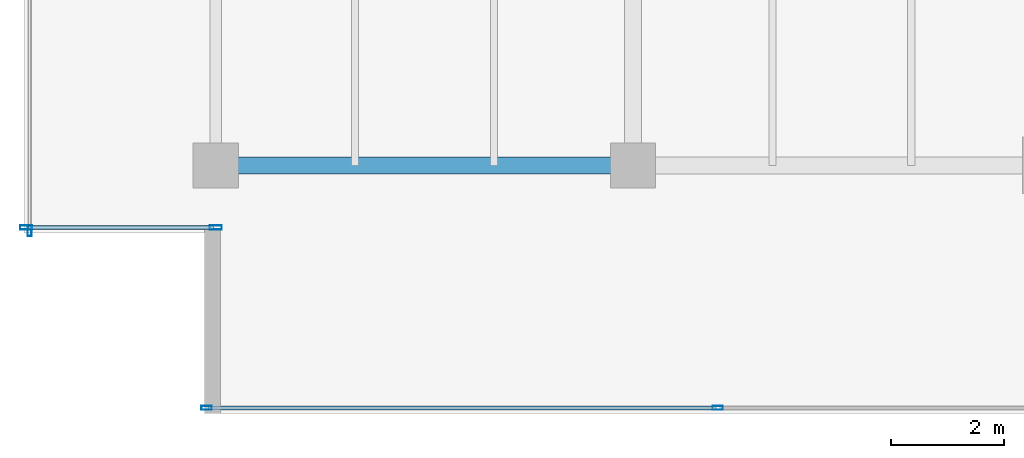
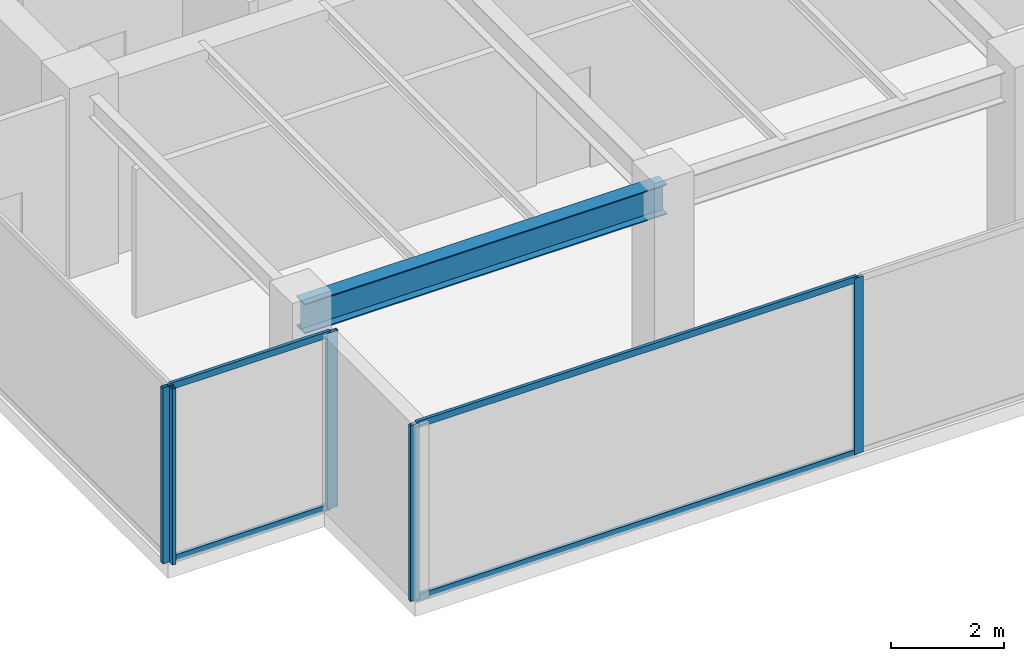
# One storey, part 5 of 33: 9 members, 1 beam, 3 elements without a shape of their own.
"""IFC4 building model written with IfcOpenShell, lengths in metres."""

from ifc_helpers import new_model, si_unit, direction, frame, origin, origin_2d, place, context, subcontext, project, spatial, hollow_rectangle, i_section, extrude, source, transform, mapped, material, layer, layer_set, material_profile, profile_set, type_object, type_shapes, element, aggregate, save


model = new_model("IFC4")

# Units and contexts
model_context = context("Model", 3, precision=1e-05, world=origin(), true_north=direction((0.0, 1.0)))
body_context = subcontext(model_context, "Body", "Model", "MODEL_VIEW")
ifc_project = project(units=[si_unit("LENGTHUNIT", "METRE"), si_unit("AREAUNIT", "SQUARE_METRE"), si_unit("VOLUMEUNIT", "CUBIC_METRE"), si_unit("PLANEANGLEUNIT", "RADIAN"), si_unit("MASSUNIT", "GRAM", prefix="KILO")], contexts=[model_context])

# Site, building, storey
site_placement = place(None, origin())
site = spatial("IfcSite", under=ifc_project, at=site_placement, CompositionType="ELEMENT")
building_placement = place(site_placement, origin())
building = spatial("IfcBuilding", under=site, at=building_placement, Name="Haelvirn Gate Laboratories", CompositionType="ELEMENT")
storey_placement = place(building_placement, frame((0.0, 0.0, 275.199951171875)))
storey = spatial("IfcBuildingStorey", under=building, at=storey_placement, Name="L66", CompositionType="ELEMENT", Elevation=275.199951171875)

# Beam
ifc_material_1 = material(Name="Steel SM355", Category="steel")
ifc_material_profile_1 = material_profile(ifc_material_1, i_section(OverallWidth=0.300048828125, OverallDepth=0.64990234375, WebThickness=0.012939453125, FlangeThickness=0.02197265625, at=origin_2d()), Name="H-650x300x13x22")
ifc_profile_set_1 = profile_set([ifc_material_profile_1], Name="Steel SM355")
beam_type = type_object("IfcBeamType", Name="BM-G-650", PredefinedType="BEAM", material=ifc_profile_set_1)
shared_shape_1 = source(origin(), body_context, "Body", "SweptSolid", [
    extrude(i_section(OverallWidth=0.300048828125, OverallDepth=0.64990234375, WebThickness=0.012939453125, FlangeThickness=0.02197265625, at=origin_2d()), origin(), (0.0, 0.0, 1.0), 7.400146484375),
])
type_shapes(beam_type, [shared_shape_1])
beam_placement = place(storey_placement, frame((7.39990234375, 7.0, 3.47509765625), z_axis=(1.0, 0.0, 0.0), x_axis=(0.0, 1.0, 0.0)))
element("IfcBeam", 1, at=beam_placement, inside=storey, type_object=beam_type, Name="L66 Primary Girder Y7.0 (7.4-14.8)", PredefinedType="BEAM", context=body_context, shape_type="MappedRepresentation", body=[
    mapped(shared_shape_1, transform((0.0, 0.0, 0.0), scale=1.0)),
])

# Curtain wall, members
ifc_material_2 = material(Name="Anodised bronze unitised aluminium & triple low-E glass", Category="aluminium")
ifc_layer_1 = layer(ifc_material_2, 0.181884765625, Name="CW-SYS-5")
ifc_layer_set_1 = layer_set([ifc_layer_1], Name="Anodised bronze unitised aluminium & triple low-E glass")
curtain_wall_type_1 = type_object("IfcCurtainWallType", Name="CW-SYS-5", PredefinedType="NOTDEFINED", material=ifc_layer_set_1)
curtain_wall_1_placement = place(storey_placement, origin())
curtain_wall_1 = element("IfcCurtainWall", 2, at=curtain_wall_1_placement, inside=storey, type_object=curtain_wall_type_1, Name="L66 Unitised Curtain Wall CW-L66-P0-E18-1", PredefinedType="NOTDEFINED")
ifc_material_3 = material(Name="Extruded aluminium 6063-T6 (anodised bronze)", Category="aluminium")
ifc_material_profile_2 = material_profile(ifc_material_3, hollow_rectangle(XDim=0.06494140625, YDim=0.139892578125, WallThickness=0.00390625, at=origin_2d()), Name="CWT-140x65x4")
ifc_profile_set_2 = profile_set([ifc_material_profile_2], Name="Extruded aluminium 6063-T6 (anodised bronze)")
member_type_1 = type_object("IfcMemberType", Name="CWT-T140", PredefinedType="USERDEFINED", material=ifc_profile_set_2)
shared_shape_2 = source(origin(), body_context, "Body", "SweptSolid", [
    extrude(hollow_rectangle(XDim=0.06494140625, YDim=0.139892578125, WallThickness=0.00390625, at=origin_2d()), origin(), (0.0, 0.0, 1.0), 3.280029296875),
])
member_1_placement = place(storey_placement, frame((4.080078125, 5.89990234375, 0.032470703125), z_axis=(1.0, 0.0, 0.0), x_axis=(0.0, 1.0, 0.0)))
member_1 = element("IfcMember", 3, at=member_1_placement, type_object=member_type_1, Name="CW5 transom 1.1", ObjectType="TRANSOM", PredefinedType="USERDEFINED", context=body_context, shape_type="MappedRepresentation", body=[
    mapped(shared_shape_2, transform((0.0, 0.0, 0.0), scale=1.0)),
])
member_2_placement = place(storey_placement, frame((4.080078125, 5.89990234375, 3.767578125), z_axis=(1.0, 0.0, 0.0), x_axis=(0.0, 1.0, 0.0)))
member_2 = element("IfcMember", 4, at=member_2_placement, type_object=member_type_1, Name="CW5 transom 1.2", ObjectType="TRANSOM", PredefinedType="USERDEFINED", context=body_context, shape_type="MappedRepresentation", body=[
    mapped(shared_shape_2, transform((0.0, 0.0, 0.0), scale=1.0)),
])

ifc_layer_2 = layer(ifc_material_2, 0.176025390625, Name="CW-SYS-4")
ifc_layer_set_2 = layer_set([ifc_layer_2], Name="Anodised bronze unitised aluminium & triple low-E glass")
curtain_wall_type_2 = type_object("IfcCurtainWallType", Name="CW-SYS-4", PredefinedType="NOTDEFINED", material=ifc_layer_set_2)
curtain_wall_2_placement = place(storey_placement, origin())
curtain_wall_2 = element("IfcCurtainWall", 5, at=curtain_wall_2_placement, inside=storey, type_object=curtain_wall_type_2, Name="L66 Unitised Curtain Wall CW-L66-P0-E00-1", PredefinedType="NOTDEFINED")
ifc_material_profile_3 = material_profile(ifc_material_3, hollow_rectangle(XDim=0.070068359375, YDim=0.179931640625, WallThickness=0.0048828125, at=origin_2d()), Name="CWM-180x70x5")
ifc_profile_set_3 = profile_set([ifc_material_profile_3], Name="Extruded aluminium 6063-T6 (anodised bronze)")
member_type_2 = type_object("IfcMemberType", Name="CWM-T180", PredefinedType="MULLION", material=ifc_profile_set_3)
shared_shape_3 = source(origin(), body_context, "Body", "SweptSolid", [
    extrude(hollow_rectangle(XDim=0.070068359375, YDim=0.179931640625, WallThickness=0.0048828125, at=origin_2d()), origin(), (0.0, 0.0, 1.0), 3.800048828125),
])
type_shapes(member_type_2, [shared_shape_3])
member_3_placement = place(storey_placement, frame((7.235107421875, 2.699951171875, 0.0), z_axis=(0.0, 0.0, 1.0), x_axis=(0.0, 1.0, 0.0)))
member_3 = element("IfcMember", 6, at=member_3_placement, type_object=member_type_2, Name="CW4 mullion 1", PredefinedType="MULLION", context=body_context, shape_type="MappedRepresentation", body=[
    mapped(shared_shape_3, transform((0.0, 0.0, 0.0), scale=1.0)),
])
member_4_placement = place(storey_placement, frame((16.300048828125, 2.699951171875, 0.0), z_axis=(0.0, 0.0, 1.0), x_axis=(0.0, 1.0, 0.0)))
member_4 = element("IfcMember", 7, at=member_4_placement, type_object=member_type_2, Name="CW4 mullion 2", PredefinedType="MULLION", context=body_context, shape_type="MappedRepresentation", body=[
    mapped(shared_shape_3, transform((0.0, 0.0, 0.0), scale=1.0)),
])

# Curtain wall, member
curtain_wall_3_placement = place(storey_placement, origin())
curtain_wall_3 = element("IfcCurtainWall", 8, at=curtain_wall_3_placement, inside=storey, type_object=curtain_wall_type_2, Name="L66 Unitised Curtain Wall CW-L66-P0-E17", PredefinedType="NOTDEFINED")
member_5_placement = place(storey_placement, frame((4.10009765625, 5.8349609375, 0.0), z_axis=(0.0, 0.0, 1.0), x_axis=(1.0, 0.0, 0.0)))
member_5 = element("IfcMember", 9, at=member_5_placement, type_object=member_type_2, Name="CW4 mullion 3", PredefinedType="MULLION", context=body_context, shape_type="MappedRepresentation", body=[
    mapped(shared_shape_3, transform((0.0, 0.0, 0.0), scale=1.0)),
])
aggregate(curtain_wall_3, [member_5])

# Member
shared_shape_4 = source(origin(), body_context, "Body", "SweptSolid", [
    extrude(hollow_rectangle(XDim=0.06494140625, YDim=0.139892578125, WallThickness=0.00390625, at=origin_2d()), origin(), (0.0, 0.0, 1.0), 8.994873046875),
])
type_shapes(member_type_1, [shared_shape_2, shared_shape_4])
member_6_placement = place(storey_placement, frame((7.27001953125, 2.699951171875, 0.032470703125), z_axis=(1.0, 0.0, 0.0), x_axis=(0.0, 1.0, 0.0)))
member_6 = element("IfcMember", 10, at=member_6_placement, type_object=member_type_1, Name="CW4 transom 1.1", ObjectType="TRANSOM", PredefinedType="USERDEFINED", context=body_context, shape_type="MappedRepresentation", body=[
    mapped(shared_shape_4, transform((0.0, 0.0, 0.0), scale=1.0)),
])

member_7_placement = place(storey_placement, frame((7.27001953125, 2.699951171875, 3.767578125), z_axis=(1.0, 0.0, 0.0), x_axis=(0.0, 1.0, 0.0)))
member_7 = element("IfcMember", 11, at=member_7_placement, type_object=member_type_1, Name="CW4 transom 1.2", ObjectType="TRANSOM", PredefinedType="USERDEFINED", context=body_context, shape_type="MappedRepresentation", body=[
    mapped(shared_shape_4, transform((0.0, 0.0, 0.0), scale=1.0)),
])

aggregate(curtain_wall_2, [member_3, member_4, member_6, member_7])

ifc_material_profile_4 = material_profile(ifc_material_3, hollow_rectangle(XDim=0.080078125, YDim=0.219970703125, WallThickness=0.006103515625, at=origin_2d()), Name="CWM-220x80x6")
ifc_profile_set_4 = profile_set([ifc_material_profile_4], Name="Extruded aluminium 6063-T6 (anodised bronze)")
member_type_3 = type_object("IfcMemberType", Name="CWM-T220", PredefinedType="MULLION", material=ifc_profile_set_4)
shared_shape_5 = source(origin(), body_context, "Body", "SweptSolid", [
    extrude(hollow_rectangle(XDim=0.080078125, YDim=0.219970703125, WallThickness=0.006103515625, at=origin_2d()), origin(), (0.0, 0.0, 1.0), 3.800048828125),
])
type_shapes(member_type_3, [shared_shape_5])
member_8_placement = place(storey_placement, frame((4.0400390625, 5.89990234375, 0.0), z_axis=(0.0, 0.0, 1.0), x_axis=(0.0, 1.0, 0.0)))
member_8 = element("IfcMember", 12, at=member_8_placement, type_object=member_type_3, Name="CW5 mullion 1", PredefinedType="MULLION", context=body_context, shape_type="MappedRepresentation", body=[
    mapped(shared_shape_5, transform((0.0, 0.0, 0.0), scale=1.0)),
])

member_9_placement = place(storey_placement, frame((7.39990234375, 5.89990234375, 0.0), z_axis=(0.0, 0.0, 1.0), x_axis=(0.0, 1.0, 0.0)))
member_9 = element("IfcMember", 13, at=member_9_placement, type_object=member_type_3, Name="CW5 mullion 2", PredefinedType="MULLION", context=body_context, shape_type="MappedRepresentation", body=[
    mapped(shared_shape_5, transform((0.0, 0.0, 0.0), scale=1.0)),
])

aggregate(curtain_wall_1, [member_8, member_9, member_1, member_2])

save(model, "model.ifc")
